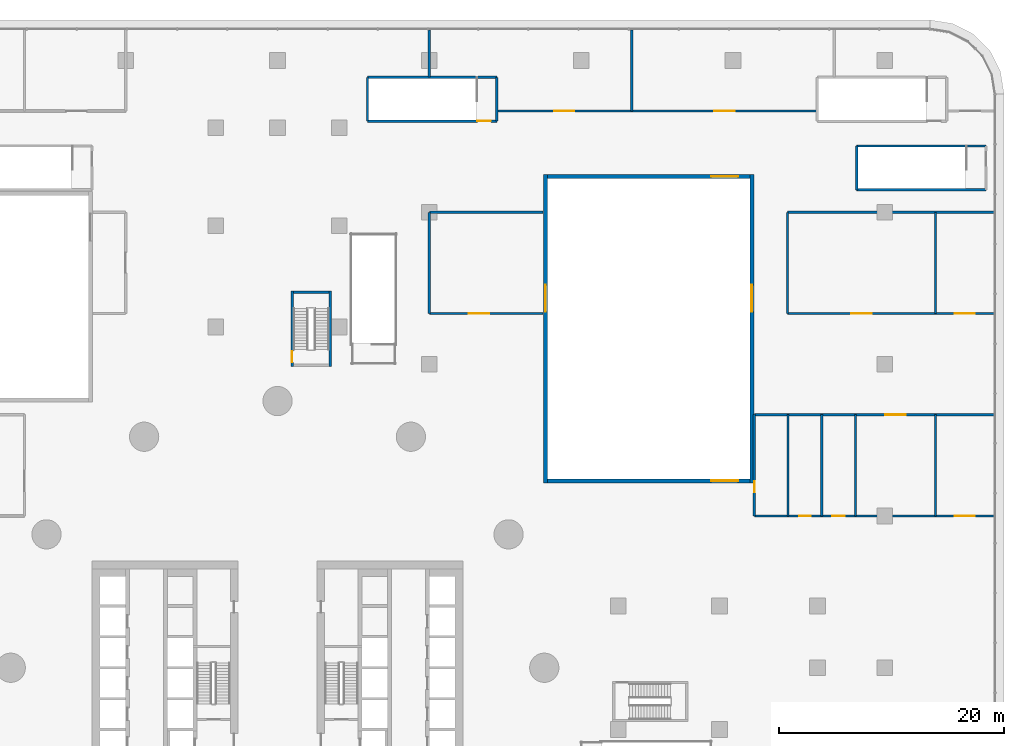
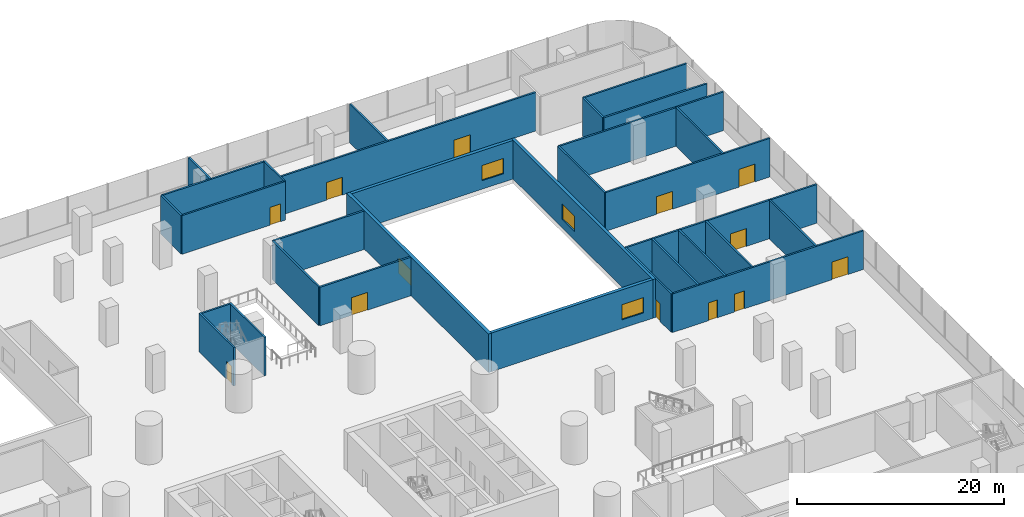
# One storey, part 28 of 38: 31 walls, 12 doors, 4 windows, 16 openings.
"""IFC4 building model written with IfcOpenShell, lengths in metres."""

from ifc_helpers import new_model, si_unit, direction, frame, frame_2d, origin, place, context, subcontext, project, spatial, polyline, rectangle, outline, extrude, material, layer, layer_set, type_object, element, fill, save


model = new_model("IFC4")

# Units and contexts
model_context = context("Model", 3, precision=1e-05, world=origin(), true_north=direction((0.0, 1.0)))
body_context = subcontext(model_context, "Body", "Model", "MODEL_VIEW")
ifc_project = project(units=[si_unit("LENGTHUNIT", "METRE"), si_unit("AREAUNIT", "SQUARE_METRE"), si_unit("VOLUMEUNIT", "CUBIC_METRE"), si_unit("PLANEANGLEUNIT", "RADIAN"), si_unit("MASSUNIT", "GRAM", prefix="KILO")], contexts=[model_context])

# Site, building, storey
site_placement = place(None, origin())
site = spatial("IfcSite", under=ifc_project, at=site_placement, CompositionType="ELEMENT")
building_placement = place(site_placement, origin())
building = spatial("IfcBuilding", under=site, at=building_placement, Name="Tamarind Cross Interchange Tower", CompositionType="ELEMENT")
storey_placement = place(building_placement, frame((0.0, 0.0, 20.0)))
storey = spatial("IfcBuildingStorey", under=building, at=storey_placement, Name="L03", CompositionType="ELEMENT", Elevation=20.0)

# Wall
ifc_material_1 = material(Name="Masonry partition, fire-rated", Category="masonry")
ifc_layer_1 = layer(ifc_material_1, 0.199951171875)
ifc_layer_set_1 = layer_set([ifc_layer_1], Name="Masonry partition, fire-rated")
wall_type_1 = type_object("IfcWallType", Name="Fire partition 200 EI 120", PredefinedType="PARTITIONING", material=ifc_layer_set_1)
wall_1_placement = place(storey_placement, frame((13.5, 52.530029296875, 0.0), z_axis=(0.0, 0.0, 1.0), x_axis=(0.0, 1.0, 0.0)))
element("IfcWall", 1, at=wall_1_placement, inside=storey, type_object=wall_type_1, Name="L03 partition 89", PredefinedType="PARTITIONING", context=body_context, shape_type="SweptSolid", body=[
    extrude(rectangle(XDim=4.1689453125, YDim=0.199951171875, at=frame_2d((2.08447265625, 0.0))), origin(), (0.0, 0.0, 1.0), 4.550048828125),
])

# Wall, openings, doors
wall_2_placement = place(storey_placement, frame((19.530029296875, 49.5, 0.0), z_axis=(0.0, 0.0, 1.0), x_axis=(1.0, 0.0, 0.0)))
wall_2 = element("IfcWall", 2, at=wall_2_placement, inside=storey, type_object=wall_type_1, Name="L03 partition 91", PredefinedType="PARTITIONING", context=body_context, shape_type="SweptSolid", body=[
    extrude(rectangle(XDim=28.43994140625, YDim=0.199951171875, at=frame_2d((14.219970703125, 0.0))), origin(), (0.0, 0.0, 1.0), 4.550048828125),
])
opening_1_placement = place(wall_2_placement, frame((5.06005859375, 0.0, 0.0)))
opening_1 = element("IfcOpeningElement", 3, at=opening_1_placement, cuts=wall_2, Name="Opening DL03-20", PredefinedType="OPENING", context=body_context, shape_type="SweptSolid", body=[
    extrude(rectangle(XDim=1.800048828125, YDim=2.10009765625, at=frame_2d((0.89990234375, 1.050048828125))), frame((0.0, 0.10986328125, 0.0), z_axis=(0.0, -1.0, 0.0), x_axis=(1.0, 0.0, 0.0)), (0.0, 0.0, 1.0), 0.219970703125),
])
opening_2_placement = place(wall_2_placement, frame((19.320068359375, 0.0, 0.0)))
opening_2 = element("IfcOpeningElement", 4, at=opening_2_placement, cuts=wall_2, Name="Opening DL03-21", PredefinedType="OPENING", context=body_context, shape_type="SweptSolid", body=[
    extrude(rectangle(XDim=1.800048828125, YDim=2.10009765625, at=frame_2d((0.89990234375, 1.050048828125))), frame((0.0, 0.10986328125, 0.0), z_axis=(0.0, -1.0, 0.0), x_axis=(1.0, 0.0, 0.0)), (0.0, 0.0, 1.0), 0.219970703125),
])
ifc_material_2 = material(Name="Steel, fire-resisting", Category="steel")
door_type_1 = type_object("IfcDoorType", Name="Podium door 1800 x 2100 FD60", OperationType="SINGLE_SWING_LEFT", PredefinedType="DOOR", material=ifc_material_2)
door_1_placement = place(opening_1_placement, origin())
door_1 = element("IfcDoor", 5, at=door_1_placement, inside=storey, type_object=door_type_1, Name="L03 door Community Hall 0306", OperationType="SINGLE_SWING_RIGHT", OverallHeight=2.10009765625, OverallWidth=1.800048828125, PredefinedType="DOOR", context=body_context, shape_type="SweptSolid", body=[
    extrude(rectangle(XDim=1.800048828125, YDim=2.10009765625, at=frame_2d((0.89990234375, 1.050048828125))), frame((0.0, 0.02490234375, 0.0), z_axis=(0.0, -1.0, 0.0), x_axis=(1.0, 0.0, 0.0)), (0.0, 0.0, 1.0), 0.050048828125),
])
fill(opening_1, door_1)
door_2_placement = place(opening_2_placement, origin())
door_2 = element("IfcDoor", 6, at=door_2_placement, inside=storey, type_object=door_type_1, Name="L03 door Library Reading Room 0307", OperationType="SINGLE_SWING_LEFT", OverallHeight=2.10009765625, OverallWidth=1.800048828125, PredefinedType="DOOR", context=body_context, shape_type="SweptSolid", body=[
    extrude(rectangle(XDim=1.800048828125, YDim=2.10009765625, at=frame_2d((0.89990234375, 1.050048828125))), frame((0.0, 0.02490234375, 0.0), z_axis=(0.0, -1.0, 0.0), x_axis=(1.0, 0.0, 0.0)), (0.0, 0.0, 1.0), 0.050048828125),
])
fill(opening_2, door_2)

# Wall, opening, door
wall_3_placement = place(storey_placement, frame((13.5, 31.5, 0.0), z_axis=(0.0, 0.0, 1.0), x_axis=(1.0, 0.0, 0.0)))
wall_3 = element("IfcWall", 7, at=wall_3_placement, inside=storey, type_object=wall_type_1, Name="L03 partition 93", PredefinedType="PARTITIONING", context=body_context, shape_type="SweptSolid", body=[
    extrude(rectangle(XDim=10.1201171875, YDim=0.199951171875, at=frame_2d((5.06005859375, 0.0))), origin(), (0.0, 0.0, 1.0), 4.550048828125),
])
opening_3_placement = place(wall_3_placement, frame((3.512939453125, 0.0, 0.0)))
opening_3 = element("IfcOpeningElement", 8, at=opening_3_placement, cuts=wall_3, Name="Opening DL03-18", PredefinedType="OPENING", context=body_context, shape_type="SweptSolid", body=[
    extrude(rectangle(XDim=1.800048828125, YDim=2.10009765625, at=frame_2d((0.89990234375, 1.050048828125))), frame((0.0, 0.10986328125, 0.0), z_axis=(0.0, -1.0, 0.0), x_axis=(1.0, 0.0, 0.0)), (0.0, 0.0, 1.0), 0.219970703125),
])
door_3_placement = place(opening_3_placement, origin())
door_3 = element("IfcDoor", 9, at=door_3_placement, inside=storey, type_object=door_type_1, Name="L03 door Training Room 0303", OperationType="SINGLE_SWING_RIGHT", OverallHeight=2.10009765625, OverallWidth=1.800048828125, PredefinedType="DOOR", context=body_context, shape_type="SweptSolid", body=[
    extrude(rectangle(XDim=1.800048828125, YDim=2.10009765625, at=frame_2d((0.89990234375, 1.050048828125))), frame((0.0, 0.02490234375, 0.0), z_axis=(0.0, -1.0, 0.0), x_axis=(1.0, 0.0, 0.0)), (0.0, 0.0, 1.0), 0.050048828125),
])
fill(opening_3, door_3)

# Walls
wall_4_placement = place(storey_placement, frame((13.5, 31.5, 0.0), z_axis=(0.0, 0.0, 1.0), x_axis=(0.0, 1.0, 0.0)))
element("IfcWall", 10, at=wall_4_placement, inside=storey, type_object=wall_type_1, Name="L03 partition 94", PredefinedType="PARTITIONING", context=body_context, shape_type="SweptSolid", body=[
    extrude(rectangle(XDim=9.0, YDim=0.199951171875, at=frame_2d((4.5, 0.0))), origin(), (0.0, 0.0, 1.0), 4.550048828125),
])
wall_5_placement = place(storey_placement, frame((13.5, 40.5, 0.0), z_axis=(0.0, 0.0, 1.0), x_axis=(1.0, 0.0, 0.0)))
element("IfcWall", 11, at=wall_5_placement, inside=storey, type_object=wall_type_1, Name="L03 partition 95", PredefinedType="PARTITIONING", context=body_context, shape_type="SweptSolid", body=[
    extrude(rectangle(XDim=10.1201171875, YDim=0.199951171875, at=frame_2d((5.06005859375, 0.0))), origin(), (0.0, 0.0, 1.0), 4.550048828125),
])
wall_6_placement = place(storey_placement, frame((31.5, 49.5, 0.0), z_axis=(0.0, 0.0, 1.0), x_axis=(0.0, 1.0, 0.0)))
element("IfcWall", 12, at=wall_6_placement, inside=storey, type_object=wall_type_1, Name="L03 partition 100", PredefinedType="PARTITIONING", context=body_context, shape_type="SweptSolid", body=[
    extrude(rectangle(XDim=7.198974609375, YDim=0.199951171875, at=frame_2d((3.599609375, 0.0))), origin(), (0.0, 0.0, 1.0), 4.550048828125),
])

# Wall, openings, doors
wall_7_placement = place(storey_placement, frame((42.39990234375, 13.5, 0.0), z_axis=(0.0, 0.0, 1.0), x_axis=(1.0, 0.0, 0.0)))
wall_7 = element("IfcWall", 13, at=wall_7_placement, inside=storey, type_object=wall_type_1, Name="L03 partition 102", PredefinedType="PARTITIONING", context=body_context, shape_type="SweptSolid", body=[
    extrude(rectangle(XDim=21.299072265625, YDim=0.199951171875, at=frame_2d((10.6494140625, 0.0))), origin(), (0.0, 0.0, 1.0), 4.550048828125),
])
opening_4_placement = place(wall_7_placement, frame((4.0, 0.0, 0.0)))
opening_4 = element("IfcOpeningElement", 14, at=opening_4_placement, cuts=wall_7, Name="Opening DL03-14", PredefinedType="OPENING", context=body_context, shape_type="SweptSolid", body=[
    extrude(rectangle(XDim=1.0, YDim=2.10009765625, at=frame_2d((0.5, 1.050048828125))), frame((0.0, 0.10986328125, 0.0), z_axis=(0.0, -1.0, 0.0), x_axis=(1.0, 0.0, 0.0)), (0.0, 0.0, 1.0), 0.219970703125),
])
opening_5_placement = place(wall_7_placement, frame((6.949951171875, 0.0, 0.0)))
opening_5 = element("IfcOpeningElement", 15, at=opening_5_placement, cuts=wall_7, Name="Opening DL03-15", PredefinedType="OPENING", context=body_context, shape_type="SweptSolid", body=[
    extrude(rectangle(XDim=1.10009765625, YDim=2.10009765625, at=frame_2d((0.550048828125, 1.050048828125))), frame((0.0, 0.10986328125, 0.0), z_axis=(0.0, -1.0, 0.0), x_axis=(1.0, 0.0, 0.0)), (0.0, 0.0, 1.0), 0.219970703125),
])
opening_6_placement = place(wall_7_placement, frame((17.800048828125, 0.0, 0.0)))
opening_6 = element("IfcOpeningElement", 16, at=opening_6_placement, cuts=wall_7, Name="Opening DL03-17", PredefinedType="OPENING", context=body_context, shape_type="SweptSolid", body=[
    extrude(rectangle(XDim=1.800048828125, YDim=2.10009765625, at=frame_2d((0.89990234375, 1.050048828125))), frame((0.0, 0.10986328125, 0.0), z_axis=(0.0, -1.0, 0.0), x_axis=(1.0, 0.0, 0.0)), (0.0, 0.0, 1.0), 0.219970703125),
])
door_type_2 = type_object("IfcDoorType", Name="Podium door 1000 x 2100 FD60", OperationType="SINGLE_SWING_LEFT", PredefinedType="DOOR", material=ifc_material_2)
door_4_placement = place(opening_4_placement, origin())
door_4 = element("IfcDoor", 17, at=door_4_placement, inside=storey, type_object=door_type_2, Name="L03 door Men's Toilets L03NE", OperationType="SINGLE_SWING_RIGHT", OverallHeight=2.10009765625, OverallWidth=1.0, PredefinedType="DOOR", context=body_context, shape_type="SweptSolid", body=[
    extrude(rectangle(XDim=1.0, YDim=2.10009765625, at=frame_2d((0.5, 1.050048828125))), frame((0.0, 0.02490234375, 0.0), z_axis=(0.0, -1.0, 0.0), x_axis=(1.0, 0.0, 0.0)), (0.0, 0.0, 1.0), 0.050048828125),
])
fill(opening_4, door_4)
door_type_3 = type_object("IfcDoorType", Name="Podium door 1100 x 2100 FD60", OperationType="SINGLE_SWING_LEFT", PredefinedType="DOOR", material=ifc_material_2)
door_5_placement = place(opening_5_placement, origin())
door_5 = element("IfcDoor", 18, at=door_5_placement, inside=storey, type_object=door_type_3, Name="L03 door Accessible Toilet L03NE", OperationType="SINGLE_SWING_LEFT", OverallHeight=2.10009765625, OverallWidth=1.10009765625, PredefinedType="DOOR", context=body_context, shape_type="SweptSolid", body=[
    extrude(rectangle(XDim=1.10009765625, YDim=2.10009765625, at=frame_2d((0.550048828125, 1.050048828125))), frame((0.0, 0.02490234375, 0.0), z_axis=(0.0, -1.0, 0.0), x_axis=(1.0, 0.0, 0.0)), (0.0, 0.0, 1.0), 0.050048828125),
])
fill(opening_5, door_5)
door_6_placement = place(opening_6_placement, origin())
door_6 = element("IfcDoor", 19, at=door_6_placement, inside=storey, type_object=door_type_1, Name="L03 door Childcare Room 0302", OperationType="SINGLE_SWING_LEFT", OverallHeight=2.10009765625, OverallWidth=1.800048828125, PredefinedType="DOOR", context=body_context, shape_type="SweptSolid", body=[
    extrude(rectangle(XDim=1.800048828125, YDim=2.10009765625, at=frame_2d((0.89990234375, 1.050048828125))), frame((0.0, 0.02490234375, 0.0), z_axis=(0.0, -1.0, 0.0), x_axis=(1.0, 0.0, 0.0)), (0.0, 0.0, 1.0), 0.050048828125),
])
fill(opening_6, door_6)

# Wall, opening, door
wall_8_placement = place(storey_placement, frame((42.39990234375, 22.5, 0.0), z_axis=(0.0, 0.0, 1.0), x_axis=(1.0, 0.0, 0.0)))
wall_8 = element("IfcWall", 20, at=wall_8_placement, inside=storey, type_object=wall_type_1, Name="L03 partition 105", PredefinedType="PARTITIONING", context=body_context, shape_type="SweptSolid", body=[
    extrude(rectangle(XDim=21.299072265625, YDim=0.199951171875, at=frame_2d((10.6494140625, 0.0))), origin(), (0.0, 0.0, 1.0), 4.550048828125),
])
opening_7_placement = place(wall_8_placement, frame((11.64990234375, 0.0, 0.0)))
opening_7 = element("IfcOpeningElement", 21, at=opening_7_placement, cuts=wall_8, Name="Opening DL03-16", PredefinedType="OPENING", context=body_context, shape_type="SweptSolid", body=[
    extrude(rectangle(XDim=1.800048828125, YDim=2.10009765625, at=frame_2d((0.89990234375, 1.050048828125))), frame((0.0, 0.10986328125, 0.0), z_axis=(0.0, -1.0, 0.0), x_axis=(1.0, 0.0, 0.0)), (0.0, 0.0, 1.0), 0.219970703125),
])
door_7_placement = place(opening_7_placement, origin())
door_7 = element("IfcDoor", 22, at=door_7_placement, inside=storey, type_object=door_type_1, Name="L03 door Library Reading Room 0301", OperationType="SINGLE_SWING_RIGHT", OverallHeight=2.10009765625, OverallWidth=1.800048828125, PredefinedType="DOOR", context=body_context, shape_type="SweptSolid", body=[
    extrude(rectangle(XDim=1.800048828125, YDim=2.10009765625, at=frame_2d((0.89990234375, 1.050048828125))), frame((0.0, 0.02490234375, 0.0), z_axis=(0.0, -1.0, 0.0), x_axis=(1.0, 0.0, 0.0)), (0.0, 0.0, 1.0), 0.050048828125),
])
fill(opening_7, door_7)

# Wall
wall_9_placement = place(storey_placement, frame((58.5, 13.5, 0.0), z_axis=(0.0, 0.0, 1.0), x_axis=(0.0, 1.0, 0.0)))
element("IfcWall", 23, at=wall_9_placement, inside=storey, type_object=wall_type_1, Name="L03 partition 114", PredefinedType="PARTITIONING", context=body_context, shape_type="SweptSolid", body=[
    extrude(rectangle(XDim=9.0, YDim=0.199951171875, at=frame_2d((4.5, 0.0))), origin(), (0.0, 0.0, 1.0), 4.550048828125),
])

# Wall, openings, doors
wall_10_placement = place(storey_placement, frame((45.35009765625, 31.5, 0.0), z_axis=(0.0, 0.0, 1.0), x_axis=(1.0, 0.0, 0.0)))
wall_10 = element("IfcWall", 24, at=wall_10_placement, inside=storey, type_object=wall_type_1, Name="L03 partition 115", PredefinedType="PARTITIONING", context=body_context, shape_type="SweptSolid", body=[
    extrude(rectangle(XDim=18.348876953125, YDim=0.199951171875, at=frame_2d((9.17431640625, 0.0))), origin(), (0.0, 0.0, 1.0), 4.550048828125),
])
opening_8_placement = place(wall_10_placement, frame((14.85009765625, 0.0, 0.0)))
opening_8 = element("IfcOpeningElement", 25, at=opening_8_placement, cuts=wall_10, Name="Opening DL03-19", PredefinedType="OPENING", context=body_context, shape_type="SweptSolid", body=[
    extrude(rectangle(XDim=1.800048828125, YDim=2.10009765625, at=frame_2d((0.89990234375, 1.050048828125))), frame((0.0, 0.10986328125, 0.0), z_axis=(0.0, -1.0, 0.0), x_axis=(1.0, 0.0, 0.0)), (0.0, 0.0, 1.0), 0.219970703125),
])
opening_9_placement = place(wall_10_placement, frame((5.675048828125, 0.0, 0.0)))
opening_9 = element("IfcOpeningElement", 26, at=opening_9_placement, cuts=wall_10, Name="Opening DL03-23", PredefinedType="OPENING", context=body_context, shape_type="SweptSolid", body=[
    extrude(rectangle(XDim=1.800048828125, YDim=2.10009765625, at=frame_2d((0.89990234375, 1.050048828125))), frame((0.0, 0.10986328125, 0.0), z_axis=(0.0, -1.0, 0.0), x_axis=(1.0, 0.0, 0.0)), (0.0, 0.0, 1.0), 0.219970703125),
])
door_8_placement = place(opening_8_placement, origin())
door_8 = element("IfcDoor", 27, at=door_8_placement, inside=storey, type_object=door_type_1, Name="L03 door Health Clinic 0305", OperationType="SINGLE_SWING_LEFT", OverallHeight=2.10009765625, OverallWidth=1.800048828125, PredefinedType="DOOR", context=body_context, shape_type="SweptSolid", body=[
    extrude(rectangle(XDim=1.800048828125, YDim=2.10009765625, at=frame_2d((0.89990234375, 1.050048828125))), frame((0.0, 0.02490234375, 0.0), z_axis=(0.0, -1.0, 0.0), x_axis=(1.0, 0.0, 0.0)), (0.0, 0.0, 1.0), 0.050048828125),
])
fill(opening_8, door_8)
door_9_placement = place(opening_9_placement, origin())
door_9 = element("IfcDoor", 28, at=door_9_placement, inside=storey, type_object=door_type_1, Name="L03 door Exhibition Gallery 0304", OperationType="SINGLE_SWING_LEFT", OverallHeight=2.10009765625, OverallWidth=1.800048828125, PredefinedType="DOOR", context=body_context, shape_type="SweptSolid", body=[
    extrude(rectangle(XDim=1.800048828125, YDim=2.10009765625, at=frame_2d((0.89990234375, 1.050048828125))), frame((0.0, 0.02490234375, 0.0), z_axis=(0.0, -1.0, 0.0), x_axis=(1.0, 0.0, 0.0)), (0.0, 0.0, 1.0), 0.050048828125),
])
fill(opening_9, door_9)

# Walls
for number, where, z_axis, x_axis, name in (
    (29, (58.5, 31.5, 0.0), (0.0, 0.0, 1.0), (0.0, 1.0, 0.0), "L03 partition 116"),
    (30, (45.35009765625, 31.5, 0.0), (0.0, 0.0, 1.0), (0.0, 1.0, 0.0), "L03 partition 117"),
):
    element("IfcWall", number, at=place(storey_placement, frame(where, z_axis=z_axis, x_axis=x_axis)), inside=storey, type_object=wall_type_1, Name=name, PredefinedType="PARTITIONING", context=body_context, shape_type="SweptSolid", body=[
        extrude(rectangle(XDim=9.0, YDim=0.199951171875, at=frame_2d((4.5, 0.0))), origin(), (0.0, 0.0, 1.0), 4.550048828125),
    ])
wall_11_placement = place(storey_placement, frame((45.35009765625, 40.5, 0.0), z_axis=(0.0, 0.0, 1.0), x_axis=(1.0, 0.0, 0.0)))
element("IfcWall", 31, at=wall_11_placement, inside=storey, type_object=wall_type_1, Name="L03 partition 118", PredefinedType="PARTITIONING", context=body_context, shape_type="SweptSolid", body=[
    extrude(rectangle(XDim=18.348876953125, YDim=0.199951171875, at=frame_2d((9.17431640625, 0.0))), origin(), (0.0, 0.0, 1.0), 4.550048828125),
])
ifc_layer_2 = layer(ifc_material_1, 0.199951171875)
ifc_layer_set_2 = layer_set([ifc_layer_2], Name="Masonry partition, fire-rated")
wall_type_2 = type_object("IfcWallType", Name="Fire partition 200 EI 90", PredefinedType="PARTITIONING", material=ifc_layer_set_2)
wall_12_placement = place(storey_placement, frame((45.39990234375, 13.5, 0.0), z_axis=(0.0, 0.0, 1.0), x_axis=(0.0, 1.0, 0.0)))
element("IfcWall", 32, at=wall_12_placement, inside=storey, type_object=wall_type_2, Name="L03 partition 103", PredefinedType="PARTITIONING", context=body_context, shape_type="SweptSolid", body=[
    extrude(rectangle(XDim=9.0, YDim=0.199951171875, at=frame_2d((4.5, 0.0))), origin(), (0.0, 0.0, 1.0), 4.550048828125),
])

# Wall, opening, door
wall_13_placement = place(storey_placement, frame((42.39990234375, 13.5, 0.0), z_axis=(0.0, 0.0, 1.0), x_axis=(0.0, 1.0, 0.0)))
wall_13 = element("IfcWall", 33, at=wall_13_placement, inside=storey, type_object=wall_type_2, Name="L03 partition 104", PredefinedType="PARTITIONING", context=body_context, shape_type="SweptSolid", body=[
    extrude(rectangle(XDim=9.0, YDim=0.199951171875, at=frame_2d((4.5, 0.0))), origin(), (0.0, 0.0, 1.0), 4.550048828125),
])
opening_10_placement = place(wall_13_placement, frame((2.10009765625, 0.0, 0.0)))
opening_10 = element("IfcOpeningElement", 34, at=opening_10_placement, cuts=wall_13, Name="Opening DL03-13", PredefinedType="OPENING", context=body_context, shape_type="SweptSolid", body=[
    extrude(rectangle(XDim=1.0, YDim=2.10009765625, at=frame_2d((0.5, 1.050048828125))), frame((0.0, 0.10986328125, 0.0), z_axis=(0.0, -1.0, 0.0), x_axis=(1.0, 0.0, 0.0)), (0.0, 0.0, 1.0), 0.219970703125),
])
door_10_placement = place(opening_10_placement, origin())
door_10 = element("IfcDoor", 35, at=door_10_placement, inside=storey, type_object=door_type_2, Name="L03 door Women's Toilets L03NE", OperationType="SINGLE_SWING_LEFT", OverallHeight=2.10009765625, OverallWidth=1.0, PredefinedType="DOOR", context=body_context, shape_type="SweptSolid", body=[
    extrude(rectangle(XDim=1.0, YDim=2.10009765625, at=frame_2d((0.5, 1.050048828125))), frame((0.0, 0.02490234375, 0.0), z_axis=(0.0, -1.0, 0.0), x_axis=(1.0, 0.0, 0.0)), (0.0, 0.0, 1.0), 0.050048828125),
])
fill(opening_10, door_10)

# Walls
for number, where, z_axis, x_axis, name in (
    (36, (48.39990234375, 13.5, 0.0), (0.0, 0.0, 1.0), (0.0, 1.0, 0.0), "L03 partition 108"),
    (37, (51.39990234375, 13.5, 0.0), (0.0, 0.0, 1.0), (0.0, 1.0, 0.0), "L03 partition 112"),
):
    element("IfcWall", number, at=place(storey_placement, frame(where, z_axis=z_axis, x_axis=x_axis)), inside=storey, type_object=wall_type_2, Name=name, PredefinedType="PARTITIONING", context=body_context, shape_type="SweptSolid", body=[
        extrude(rectangle(XDim=9.0, YDim=0.199951171875, at=frame_2d((4.5, 0.0))), origin(), (0.0, 0.0, 1.0), 4.550048828125),
    ])

# Wall, opening, window
ifc_material_3 = material(Name="Precast concrete C40", Category="concrete")
ifc_layer_3 = layer(ifc_material_3, 0.35009765625)
ifc_layer_set_3 = layer_set([ifc_layer_3], Name="Precast concrete C40")
wall_type_3 = type_object("IfcWallType", Name="Podium facade wall", PredefinedType="SOLIDWALL", material=ifc_layer_set_3)
wall_14_placement = place(storey_placement, frame((24.0, 16.625, 0.0), z_axis=(0.0, 0.0, 1.0), x_axis=(1.0, 0.0, 0.0)))
wall_14 = element("IfcWall", 38, at=wall_14_placement, inside=storey, type_object=wall_type_3, Name="CTW-L03-NES00", PredefinedType="SOLIDWALL", context=body_context, shape_type="SweptSolid", body=[
    extrude(rectangle(XDim=18.0, YDim=0.35009765625, at=frame_2d((9.0, 0.0))), origin(), (0.0, 0.0, 1.0), 4.550048828125),
])
opening_11_placement = place(wall_14_placement, frame((14.550048828125, 0.0, 1.0)))
opening_11 = element("IfcOpeningElement", 39, at=opening_11_placement, cuts=wall_14, Name="Opening W4", PredefinedType="OPENING", context=body_context, shape_type="SweptSolid", body=[
    extrude(rectangle(XDim=2.39990234375, YDim=1.800048828125, at=frame_2d((1.199951171875, 0.89990234375))), frame((0.0, 0.18505859375, 0.0), z_axis=(0.0, -1.0, 0.0), x_axis=(1.0, 0.0, 0.0)), (0.0, 0.0, 1.0), 0.3701171875),
])
ifc_material_4 = material(Name="Aluminium and toughened glass", Category="aluminium")
window_type = type_object("IfcWindowType", Name="Podium daylight window", PartitioningType="SINGLE_PANEL", PredefinedType="WINDOW", material=ifc_material_4)
window_1_placement = place(opening_11_placement, origin())
window_1 = element("IfcWindow", 40, at=window_1_placement, inside=storey, type_object=window_type, Name="CTX-L03-NES-01-00", OverallHeight=1.800048828125, OverallWidth=2.39990234375, PartitioningType="SINGLE_PANEL", PredefinedType="WINDOW", context=body_context, shape_type="SweptSolid", body=[
    extrude(rectangle(XDim=2.39990234375, YDim=1.800048828125, at=frame_2d((1.199951171875, 0.89990234375))), frame((0.0, 0.030029296875, 0.0), z_axis=(0.0, -1.0, 0.0), x_axis=(1.0, 0.0, 0.0)), (0.0, 0.0, 1.0), 0.06005859375),
])
fill(opening_11, window_1)

wall_15_placement = place(storey_placement, frame((24.0, 43.675048828125, 0.0), z_axis=(0.0, 0.0, 1.0), x_axis=(1.0, 0.0, 0.0)))
wall_15 = element("IfcWall", 41, at=wall_15_placement, inside=storey, type_object=wall_type_3, Name="CTW-L03-NEN00", PredefinedType="SOLIDWALL", context=body_context, shape_type="SweptSolid", body=[
    extrude(rectangle(XDim=18.0, YDim=0.35009765625, at=frame_2d((9.0, 0.0))), origin(), (0.0, 0.0, 1.0), 4.550048828125),
])
opening_12_placement = place(wall_15_placement, frame((14.550048828125, 0.0, 1.0)))
opening_12 = element("IfcOpeningElement", 42, at=opening_12_placement, cuts=wall_15, Name="Opening W4", PredefinedType="OPENING", context=body_context, shape_type="SweptSolid", body=[
    extrude(rectangle(XDim=2.39990234375, YDim=1.800048828125, at=frame_2d((1.199951171875, 0.89990234375))), frame((0.0, 0.18505859375, 0.0), z_axis=(0.0, -1.0, 0.0), x_axis=(1.0, 0.0, 0.0)), (0.0, 0.0, 1.0), 0.3701171875),
])
window_2_placement = place(opening_12_placement, origin())
window_2 = element("IfcWindow", 43, at=window_2_placement, inside=storey, type_object=window_type, Name="CTX-L03-NEN-01-00", OverallHeight=1.800048828125, OverallWidth=2.39990234375, PartitioningType="SINGLE_PANEL", PredefinedType="WINDOW", context=body_context, shape_type="SweptSolid", body=[
    extrude(rectangle(XDim=2.39990234375, YDim=1.800048828125, at=frame_2d((1.199951171875, 0.89990234375))), frame((0.0, 0.030029296875, 0.0), z_axis=(0.0, -1.0, 0.0), x_axis=(1.0, 0.0, 0.0)), (0.0, 0.0, 1.0), 0.06005859375),
])
fill(opening_12, window_2)

wall_16_placement = place(storey_placement, frame((23.824951171875, 16.449951171875, 0.0), z_axis=(0.0, 0.0, 1.0), x_axis=(0.0, 1.0, 0.0)))
wall_16 = element("IfcWall", 44, at=wall_16_placement, inside=storey, type_object=wall_type_3, Name="CTW-L03-NEW00", PredefinedType="SOLIDWALL", context=body_context, shape_type="SweptSolid", body=[
    extrude(rectangle(XDim=27.400146484375, YDim=0.35009765625, at=frame_2d((13.7001953125, 0.0))), origin(), (0.0, 0.0, 1.0), 4.550048828125),
])
opening_13_placement = place(wall_16_placement, frame((15.199951171875, 0.0, 1.0)))
opening_13 = element("IfcOpeningElement", 45, at=opening_13_placement, cuts=wall_16, Name="Opening W4", PredefinedType="OPENING", context=body_context, shape_type="SweptSolid", body=[
    extrude(rectangle(XDim=2.39990234375, YDim=1.800048828125, at=frame_2d((1.199951171875, 0.89990234375))), frame((0.0, 0.18505859375, 0.0), z_axis=(0.0, -1.0, 0.0), x_axis=(1.0, 0.0, 0.0)), (0.0, 0.0, 1.0), 0.3701171875),
])
window_3_placement = place(opening_13_placement, origin())
window_3 = element("IfcWindow", 46, at=window_3_placement, inside=storey, type_object=window_type, Name="CTX-L03-NEW-01-00", OverallHeight=1.800048828125, OverallWidth=2.39990234375, PartitioningType="SINGLE_PANEL", PredefinedType="WINDOW", context=body_context, shape_type="SweptSolid", body=[
    extrude(rectangle(XDim=2.39990234375, YDim=1.800048828125, at=frame_2d((1.199951171875, 0.89990234375))), frame((0.0, 0.030029296875, 0.0), z_axis=(0.0, -1.0, 0.0), x_axis=(1.0, 0.0, 0.0)), (0.0, 0.0, 1.0), 0.06005859375),
])
fill(opening_13, window_3)

wall_17_placement = place(storey_placement, frame((42.175048828125, 16.449951171875, 0.0), z_axis=(0.0, 0.0, 1.0), x_axis=(0.0, 1.0, 0.0)))
wall_17 = element("IfcWall", 47, at=wall_17_placement, inside=storey, type_object=wall_type_3, Name="CTW-L03-NEE00", PredefinedType="SOLIDWALL", context=body_context, shape_type="SweptSolid", body=[
    extrude(rectangle(XDim=27.400146484375, YDim=0.35009765625, at=frame_2d((13.7001953125, 0.0))), origin(), (0.0, 0.0, 1.0), 4.550048828125),
])
opening_14_placement = place(wall_17_placement, frame((15.199951171875, 0.0, 1.0)))
opening_14 = element("IfcOpeningElement", 48, at=opening_14_placement, cuts=wall_17, Name="Opening W4", PredefinedType="OPENING", context=body_context, shape_type="SweptSolid", body=[
    extrude(rectangle(XDim=2.39990234375, YDim=1.800048828125, at=frame_2d((1.199951171875, 0.89990234375))), frame((0.0, 0.18505859375, 0.0), z_axis=(0.0, -1.0, 0.0), x_axis=(1.0, 0.0, 0.0)), (0.0, 0.0, 1.0), 0.3701171875),
])
window_4_placement = place(opening_14_placement, origin())
window_4 = element("IfcWindow", 49, at=window_4_placement, inside=storey, type_object=window_type, Name="CTX-L03-NEE-01-00", OverallHeight=1.800048828125, OverallWidth=2.39990234375, PartitioningType="SINGLE_PANEL", PredefinedType="WINDOW", context=body_context, shape_type="SweptSolid", body=[
    extrude(rectangle(XDim=2.39990234375, YDim=1.800048828125, at=frame_2d((1.199951171875, 0.89990234375))), frame((0.0, 0.030029296875, 0.0), z_axis=(0.0, -1.0, 0.0), x_axis=(1.0, 0.0, 0.0)), (0.0, 0.0, 1.0), 0.06005859375),
])
fill(opening_14, window_4)

# Wall, opening, door
ifc_material_5 = material(Name="Concrete C40", Category="concrete")
ifc_layer_4 = layer(ifc_material_5, 0.199951171875)
ifc_layer_set_4 = layer_set([ifc_layer_4], Name="Concrete C40")
wall_type_4 = type_object("IfcWallType", Name="Stair shaft wall 200 EI 180", PredefinedType="PARTITIONING", material=ifc_layer_set_4)
wall_18_placement = place(storey_placement, frame((8.0, 48.60009765625, 0.0), z_axis=(0.0, 0.0, 1.0), x_axis=(1.0, 0.0, 0.0)))
wall_18 = element("IfcWall", 50, at=wall_18_placement, inside=storey, type_object=wall_type_4, Name="L03 stair shaft wall 29", PredefinedType="PARTITIONING", context=body_context, shape_type="SweptSolid", body=[
    extrude(rectangle(XDim=11.5, YDim=0.199951171875, at=frame_2d((5.75, 0.0))), origin(), (0.0, 0.0, 1.0), 4.550048828125),
])
opening_15_placement = place(wall_18_placement, frame((9.780029296875, 0.0, 0.0)))
opening_15 = element("IfcOpeningElement", 51, at=opening_15_placement, cuts=wall_18, Name="Opening DL03-03", PredefinedType="OPENING", context=body_context, shape_type="SweptSolid", body=[
    extrude(rectangle(XDim=1.199951171875, YDim=2.10009765625, at=frame_2d((0.60009765625, 1.050048828125))), frame((0.0, 0.10986328125, 0.0), z_axis=(0.0, -1.0, 0.0), x_axis=(1.0, 0.0, 0.0)), (0.0, 0.0, 1.0), 0.219970703125),
])
door_type_4 = type_object("IfcDoorType", Name="Podium door 1200 x 2100 FD90", OperationType="SINGLE_SWING_LEFT", PredefinedType="DOOR", material=ifc_material_2)
door_11_placement = place(opening_15_placement, origin())
door_11 = element("IfcDoor", 52, at=door_11_placement, inside=storey, type_object=door_type_4, Name="L03 door Exit Stair PX3", OperationType="SINGLE_SWING_LEFT", OverallHeight=2.10009765625, OverallWidth=1.199951171875, PredefinedType="DOOR", context=body_context, shape_type="SweptSolid", body=[
    extrude(rectangle(XDim=1.199951171875, YDim=2.10009765625, at=frame_2d((0.60009765625, 1.050048828125))), frame((0.0, 0.02490234375, 0.0), z_axis=(0.0, -1.0, 0.0), x_axis=(1.0, 0.0, 0.0)), (0.0, 0.0, 1.0), 0.050048828125),
])
fill(opening_15, door_11)

# Walls
wall_19_placement = place(storey_placement, frame((8.0, 48.60009765625, 0.0), z_axis=(0.0, 0.0, 1.0), x_axis=(0.0, 1.0, 0.0)))
element("IfcWall", 53, at=wall_19_placement, inside=storey, type_object=wall_type_4, Name="L03 stair shaft wall 30", PredefinedType="PARTITIONING", context=body_context, shape_type="SweptSolid", body=[
    extrude(rectangle(XDim=3.89990234375, YDim=0.199951171875, at=frame_2d((1.949951171875, 0.0))), origin(), (0.0, 0.0, 1.0), 4.550048828125),
])
wall_20_placement = place(storey_placement, frame((8.0, 52.5, 0.0), z_axis=(0.0, 0.0, 1.0), x_axis=(1.0, 0.0, 0.0)))
element("IfcWall", 54, at=wall_20_placement, inside=storey, type_object=wall_type_4, Name="L03 stair shaft wall 31", PredefinedType="PARTITIONING", context=body_context, shape_type="SweptSolid", body=[
    extrude(rectangle(XDim=11.5, YDim=0.199951171875, at=frame_2d((5.75, 0.0))), origin(), (0.0, 0.0, 1.0), 4.550048828125),
])
wall_21_placement = place(storey_placement, frame((19.5, 48.60009765625, 0.0), z_axis=(0.0, 0.0, 1.0), x_axis=(0.0, 1.0, 0.0)))
element("IfcWall", 55, at=wall_21_placement, inside=storey, type_object=wall_type_4, Name="L03 stair shaft wall 32", PredefinedType="PARTITIONING", context=body_context, shape_type="SweptSolid", body=[
    extrude(rectangle(XDim=3.89990234375, YDim=0.199951171875, at=frame_2d((1.949951171875, 0.0))), origin(), (0.0, 0.0, 1.0), 4.550048828125),
])
wall_22_placement = place(storey_placement, frame((51.5, 42.5, 0.0), z_axis=(0.0, 0.0, 1.0), x_axis=(1.0, 0.0, 0.0)))
element("IfcWall", 56, at=wall_22_placement, inside=storey, type_object=wall_type_4, Name="L03 stair shaft wall 45", PredefinedType="PARTITIONING", context=body_context, shape_type="SweptSolid", body=[
    extrude(rectangle(XDim=11.5, YDim=0.199951171875, at=frame_2d((5.75, 0.0))), origin(), (0.0, 0.0, 1.0), 4.550048828125),
])
wall_23_placement = place(storey_placement, frame((51.5, 42.5, 0.0), z_axis=(0.0, 0.0, 1.0), x_axis=(0.0, 1.0, 0.0)))
element("IfcWall", 57, at=wall_23_placement, inside=storey, type_object=wall_type_4, Name="L03 stair shaft wall 46", PredefinedType="PARTITIONING", context=body_context, shape_type="SweptSolid", body=[
    extrude(rectangle(XDim=3.89990234375, YDim=0.199951171875, at=frame_2d((1.949951171875, 0.0))), origin(), (0.0, 0.0, 1.0), 4.550048828125),
])
wall_24_placement = place(storey_placement, frame((51.5, 46.39990234375, 0.0), z_axis=(0.0, 0.0, 1.0), x_axis=(1.0, 0.0, 0.0)))
element("IfcWall", 58, at=wall_24_placement, inside=storey, type_object=wall_type_4, Name="L03 stair shaft wall 47", PredefinedType="PARTITIONING", context=body_context, shape_type="SweptSolid", body=[
    extrude(rectangle(XDim=11.5, YDim=0.199951171875, at=frame_2d((5.75, 0.0))), origin(), (0.0, 0.0, 1.0), 4.550048828125),
])

# Wall, opening, door
ifc_layer_5 = layer(ifc_material_5, 0.199951171875)
ifc_layer_set_5 = layer_set([ifc_layer_5], Name="Concrete C40")
wall_type_5 = type_object("IfcWallType", Name="Stair shaft wall 200 mm Concrete C40", PredefinedType="SHEAR", material=ifc_layer_set_5)
wall_25_placement = place(storey_placement, frame((1.300048828125, 26.800048828125, 0.0), z_axis=(0.0, 0.0, 1.0), x_axis=(0.0, 1.0, 0.0)))
wall_25 = element("IfcWall", 59, at=wall_25_placement, inside=storey, type_object=wall_type_5, Name="Core wall CWL-L03-ST4-H", PredefinedType="SHEAR", context=body_context, shape_type="SweptSolid", body=[
    extrude(rectangle(XDim=6.699951171875, YDim=0.199951171875, at=frame_2d((3.35009765625, 0.0))), origin(), (0.0, 0.0, 1.0), 4.550048828125),
])
opening_16_placement = place(wall_25_placement, frame((0.35009765625, 0.0, 0.0)))
opening_16 = element("IfcOpeningElement", 60, at=opening_16_placement, cuts=wall_25, Name="Opening ST4L03", PredefinedType="OPENING", context=body_context, shape_type="SweptSolid", body=[
    extrude(rectangle(XDim=1.0, YDim=2.10009765625, at=frame_2d((0.5, 1.050048828125))), frame((0.0, 0.10986328125, 0.0), z_axis=(0.0, -1.0, 0.0), x_axis=(1.0, 0.0, 0.0)), (0.0, 0.0, 1.0), 0.219970703125),
])
door_type_5 = type_object("IfcDoorType", Name="Core fire door 1000 x 2100 FD90", OperationType="SINGLE_SWING_LEFT", PredefinedType="DOOR", material=ifc_material_2)
door_12_placement = place(opening_16_placement, origin())
door_12 = element("IfcDoor", 61, at=door_12_placement, inside=storey, type_object=door_type_5, Name="L03 stair door ST4", OperationType="SINGLE_SWING_LEFT", OverallHeight=2.10009765625, OverallWidth=1.0, PredefinedType="DOOR", context=body_context, shape_type="SweptSolid", body=[
    extrude(rectangle(XDim=1.0, YDim=2.10009765625, at=frame_2d((0.5, 1.050048828125))), frame((0.0, 0.02490234375, 0.0), z_axis=(0.0, -1.0, 0.0), x_axis=(1.0, 0.0, 0.0)), (0.0, 0.0, 1.0), 0.050048828125),
])
fill(opening_16, door_12)

# Walls
wall_26_placement = place(storey_placement, frame((4.699951171875, 26.800048828125, 0.0), z_axis=(0.0, 0.0, 1.0), x_axis=(0.0, 1.0, 0.0)))
element("IfcWall", 62, at=wall_26_placement, inside=storey, type_object=wall_type_5, Name="Core wall CWL-L03-ST4-C", PredefinedType="SHEAR", context=body_context, shape_type="SweptSolid", body=[
    extrude(rectangle(XDim=6.699951171875, YDim=0.199951171875, at=frame_2d((3.35009765625, 0.0))), origin(), (0.0, 0.0, 1.0), 4.550048828125),
])
wall_27_placement = place(storey_placement, origin())
element("IfcWall", 63, at=wall_27_placement, inside=storey, type_object=wall_type_5, Name="Core wall CWL-L03-ST4-CF", PredefinedType="SHEAR", context=body_context, shape_type="SweptSolid", body=[
    extrude(outline(polyline([(4.60009765625, 33.300048828125), (4.60009765625, 33.5), (1.39990234375, 33.5), (1.39990234375, 33.300048828125), (4.60009765625, 33.300048828125)])), origin(), (0.0, 0.0, 1.0), 4.550048828125),
])

save(model, "model.ifc")
